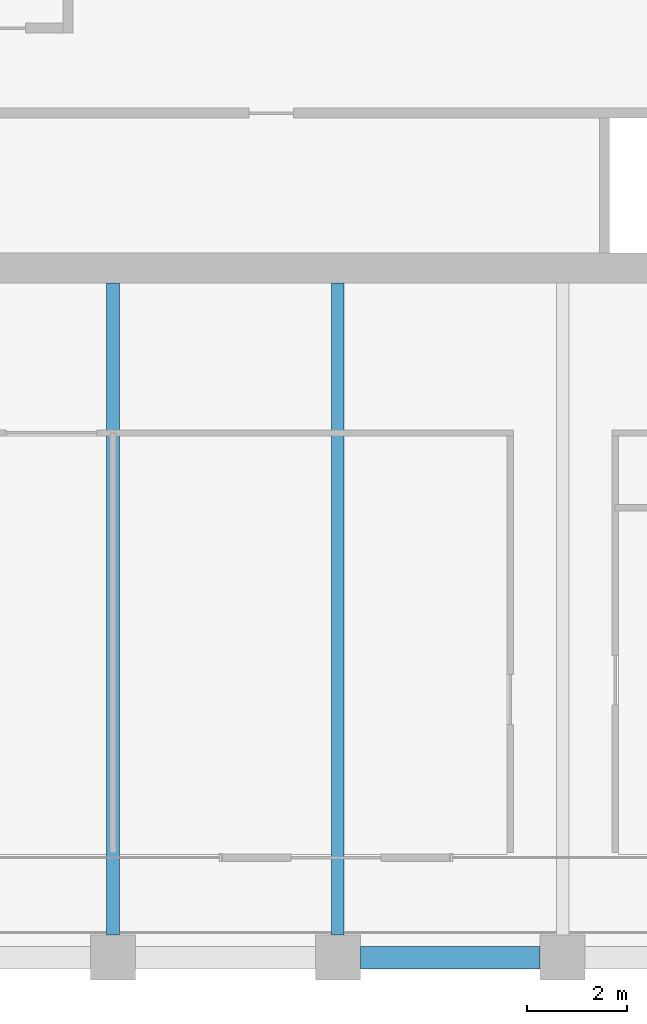
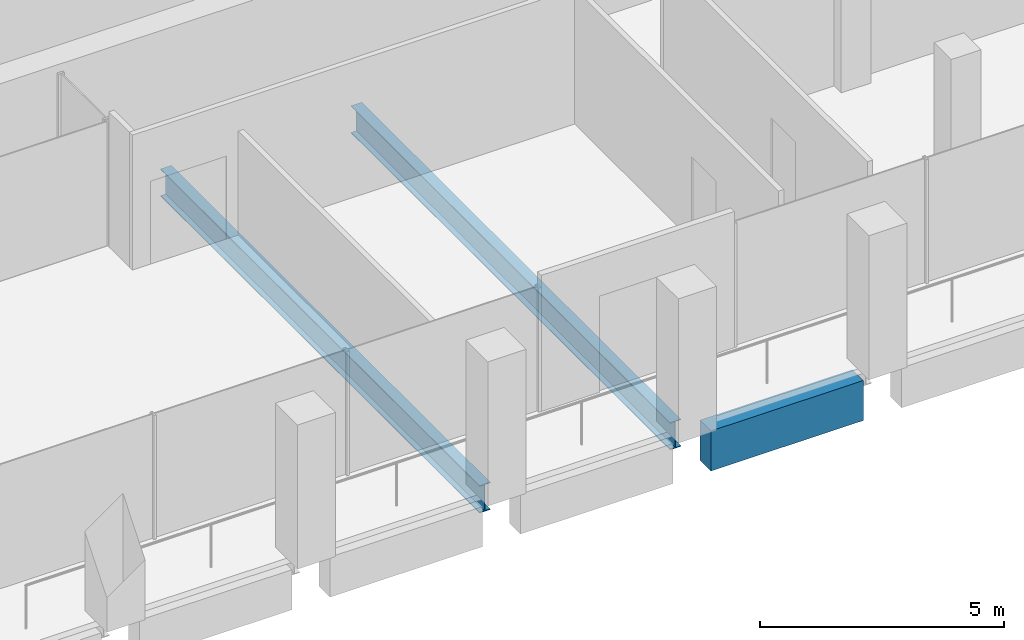
# One storey, part 8 of 40: 3 beams.
"""IFC4 building model written with IfcOpenShell, lengths in metres."""

from ifc_helpers import new_model, si_unit, direction, frame, origin, origin_2d, place, context, subcontext, project, spatial, rectangle, i_section, extrude, material, material_profile, profile_set, type_object, element, save


model = new_model("IFC4")

# Units and contexts
model_context = context("Model", 3, precision=1e-05, world=origin(), true_north=direction((0.0, 1.0)))
body_context = subcontext(model_context, "Body", "Model", "MODEL_VIEW")
ifc_project = project(units=[si_unit("LENGTHUNIT", "METRE"), si_unit("AREAUNIT", "SQUARE_METRE"), si_unit("VOLUMEUNIT", "CUBIC_METRE"), si_unit("PLANEANGLEUNIT", "RADIAN"), si_unit("MASSUNIT", "GRAM", prefix="KILO")], contexts=[model_context])

# Site, building, storey
site_placement = place(None, origin())
site = spatial("IfcSite", under=ifc_project, at=site_placement, CompositionType="ELEMENT")
building_placement = place(site_placement, origin())
building = spatial("IfcBuilding", under=site, at=building_placement, Name="Altepetl Exchange Towers", CompositionType="ELEMENT")
storey_placement = place(building_placement, frame((0.0, 0.0, 187.0)))
storey = spatial("IfcBuildingStorey", under=building, at=storey_placement, Name="L47", CompositionType="ELEMENT", Elevation=187.0)

# Beams
ifc_material_1 = material(Name="Steel S355", Category="steel")
ifc_material_profile_1 = material_profile(ifc_material_1, i_section(OverallWidth=0.25390625, OverallDepth=0.68408203125, WebThickness=0.012451171875, FlangeThickness=0.018798828125, at=origin_2d()), Name="W27X94")
ifc_profile_set_1 = profile_set([ifc_material_profile_1], Name="Steel S355")
beam_type_1 = type_object("IfcBeamType", Name="Floor beam W27X94", PredefinedType="BEAM", material=ifc_profile_set_1)
for number, where, z_axis, x_axis, name in (
    (1, (45.0, 27.449951171875, -0.491943359375), (0.0, 1.0, 0.0), (-1.0, 0.0, 0.0), "bm:A:L47:015"),
    (2, (49.5, 27.449951171875, -0.491943359375), (0.0, 1.0, 0.0), (-1.0, 0.0, 0.0), "bm:A:L47:016"),
):
    element("IfcBeam", number, at=place(storey_placement, frame(where, z_axis=z_axis, x_axis=x_axis)), inside=storey, type_object=beam_type_1, Name=name, PredefinedType="BEAM", context=body_context, shape_type="SweptSolid", body=[
        extrude(i_section(OverallWidth=0.25390625, OverallDepth=0.68408203125, WebThickness=0.012451171875, FlangeThickness=0.018798828125, at=origin_2d()), origin(), (0.0, 0.0, 1.0), 13.050048828125),
    ])
ifc_material_2 = material(Name="Concrete C50/60 precast with cantera blanca facing", Category="concrete")
ifc_material_profile_2 = material_profile(ifc_material_2, rectangle(XDim=0.449951171875, YDim=1.0, at=origin_2d()), Name="450 x 1000")
ifc_profile_set_2 = profile_set([ifc_material_profile_2], Name="Concrete C50/60 precast with cantera blanca facing")
beam_type_2 = type_object("IfcBeamType", Name="Spandrel beam 450x1000 cantera blanca", PredefinedType="SPANDREL", material=ifc_profile_set_2)
beam_placement = place(storey_placement, frame((49.949951171875, 27.0, -0.64990234375), z_axis=(1.0, 0.0, 0.0), x_axis=(0.0, 1.0, 0.0)))
element("IfcBeam", 3, at=beam_placement, inside=storey, type_object=beam_type_2, Name="sp:A:L47:004", PredefinedType="SPANDREL", context=body_context, shape_type="SweptSolid", body=[
    extrude(rectangle(XDim=0.449951171875, YDim=1.0, at=origin_2d()), origin(), (0.0, 0.0, 1.0), 3.60009765625),
])

save(model, "model.ifc")
